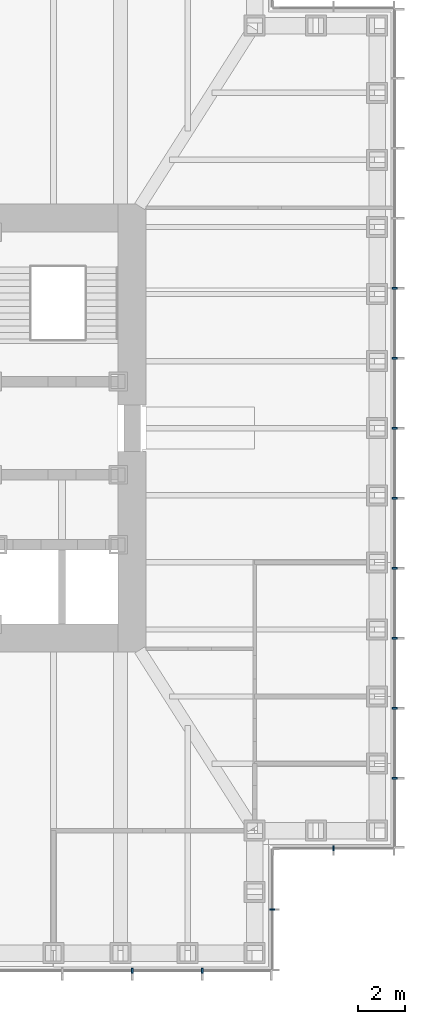
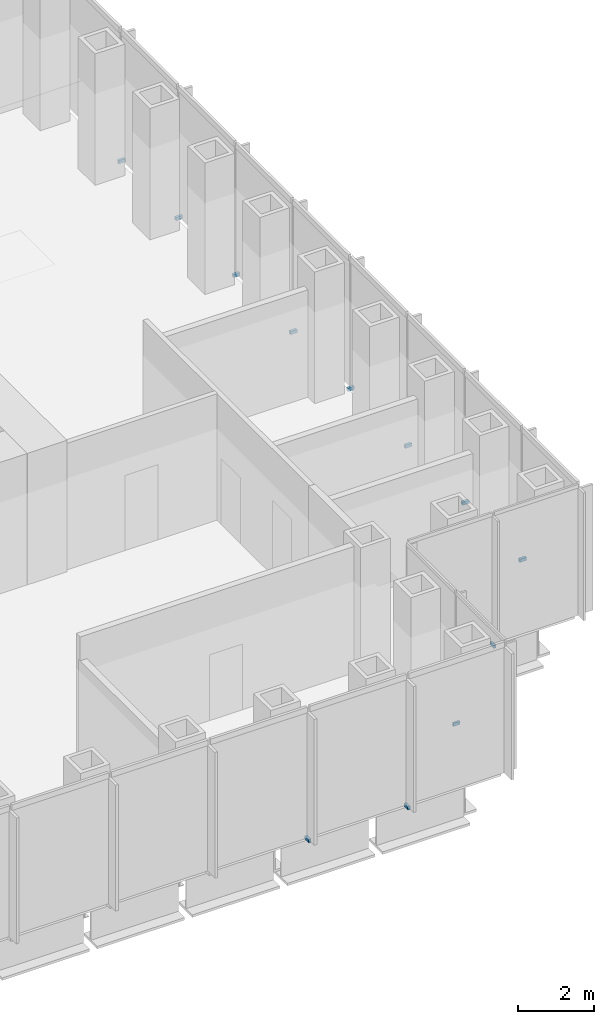
# One storey, part 13 of 16: 12 discrete accessories.
"""IFC4 building model written with IfcOpenShell, lengths in metres."""

from ifc_helpers import new_model, si_unit, direction, frame, origin, origin_2d, place, context, subcontext, project, spatial, rectangle, extrude, element, save


model = new_model("IFC4")

# Units and contexts
model_context = context("Model", 3, precision=1e-05, world=origin(), true_north=direction((0.0, 1.0)))
body_context = subcontext(model_context, "Body", "Model", "MODEL_VIEW")
ifc_project = project(units=[si_unit("LENGTHUNIT", "METRE"), si_unit("AREAUNIT", "SQUARE_METRE"), si_unit("VOLUMEUNIT", "CUBIC_METRE"), si_unit("PLANEANGLEUNIT", "RADIAN"), si_unit("MASSUNIT", "GRAM", prefix="KILO")], contexts=[model_context])

# Site, building, storey
site_placement = place(None, origin())
site = spatial("IfcSite", under=ifc_project, at=site_placement, CompositionType="ELEMENT")
building_placement = place(site_placement, origin())
building = spatial("IfcBuilding", under=site, at=building_placement, Name="Daluyong Arena Tower", CompositionType="ELEMENT")
storey_placement = place(building_placement, frame((0.0, 0.0, 141.699951171875)))
storey = spatial("IfcBuildingStorey", under=building, at=storey_placement, Name="L31", CompositionType="ELEMENT", Elevation=141.699951171875)

# Discrete accessories
for number, where, z_axis, x_axis, name in (
    (1, (68.0, 56.75, -0.10009765625), (0.0, 0.0, 1.0), (1.0, 0.0, 0.0), "curtain wall L31 S anchor bracket 11"),
    (2, (71.0, 56.75, -0.10009765625), (0.0, 0.0, 1.0), (1.0, 0.0, 0.0), "curtain wall L31 S anchor bracket 12"),
):
    element("IfcDiscreteAccessory", number, at=place(storey_placement, frame(where, z_axis=z_axis, x_axis=x_axis)), inside=storey, Name=name, PredefinedType="BRACKET", context=body_context, shape_type="SweptSolid", body=[
        extrude(rectangle(XDim=0.080078125, YDim=0.199951171875, at=origin_2d()), origin(), (0.0, 0.0, 1.0), 0.10009765625),
    ])
for number, where, z_axis, x_axis, name in (
    (3, (74.0, 59.375, -0.10009765625), (0.0, 0.0, 1.0), (0.0, 1.0, 0.0), "curtain wall L31 SE-E anchor bracket 2"),
    (4, (76.625, 62.0, -0.10009765625), (0.0, 0.0, 1.0), (1.0, 0.0, 0.0), "curtain wall L31 SE-S anchor bracket 2"),
):
    element("IfcDiscreteAccessory", number, at=place(storey_placement, frame(where, z_axis=z_axis, x_axis=x_axis)), inside=storey, Name=name, PredefinedType="BRACKET", context=body_context, shape_type="SweptSolid", body=[
        extrude(rectangle(XDim=0.06005859375, YDim=0.199951171875, at=origin_2d()), origin(), (0.0, 0.0, 1.0), 0.10009765625),
    ])
for number, where, z_axis, x_axis, name in (
    (5, (79.25, 65.0, -0.10009765625), (0.0, 0.0, 1.0), (0.0, 1.0, 0.0), "curtain wall L31 E anchor bracket 2"),
    (6, (79.25, 68.0, -0.10009765625), (0.0, 0.0, 1.0), (0.0, 1.0, 0.0), "curtain wall L31 E anchor bracket 3"),
    (7, (79.25, 71.0, -0.10009765625), (0.0, 0.0, 1.0), (0.0, 1.0, 0.0), "curtain wall L31 E anchor bracket 4"),
    (8, (79.25, 74.0, -0.10009765625), (0.0, 0.0, 1.0), (0.0, 1.0, 0.0), "curtain wall L31 E anchor bracket 5"),
    (9, (79.25, 77.0, -0.10009765625), (0.0, 0.0, 1.0), (0.0, 1.0, 0.0), "curtain wall L31 E anchor bracket 6"),
    (10, (79.25, 80.0, -0.10009765625), (0.0, 0.0, 1.0), (0.0, 1.0, 0.0), "curtain wall L31 E anchor bracket 7"),
    (11, (79.25, 83.0, -0.10009765625), (0.0, 0.0, 1.0), (0.0, 1.0, 0.0), "curtain wall L31 E anchor bracket 8"),
    (12, (79.25, 86.0, -0.10009765625), (0.0, 0.0, 1.0), (0.0, 1.0, 0.0), "curtain wall L31 E anchor bracket 9"),
):
    element("IfcDiscreteAccessory", number, at=place(storey_placement, frame(where, z_axis=z_axis, x_axis=x_axis)), inside=storey, Name=name, PredefinedType="BRACKET", context=body_context, shape_type="SweptSolid", body=[
        extrude(rectangle(XDim=0.080078125, YDim=0.199951171875, at=origin_2d()), origin(), (0.0, 0.0, 1.0), 0.10009765625),
    ])

save(model, "model.ifc")
